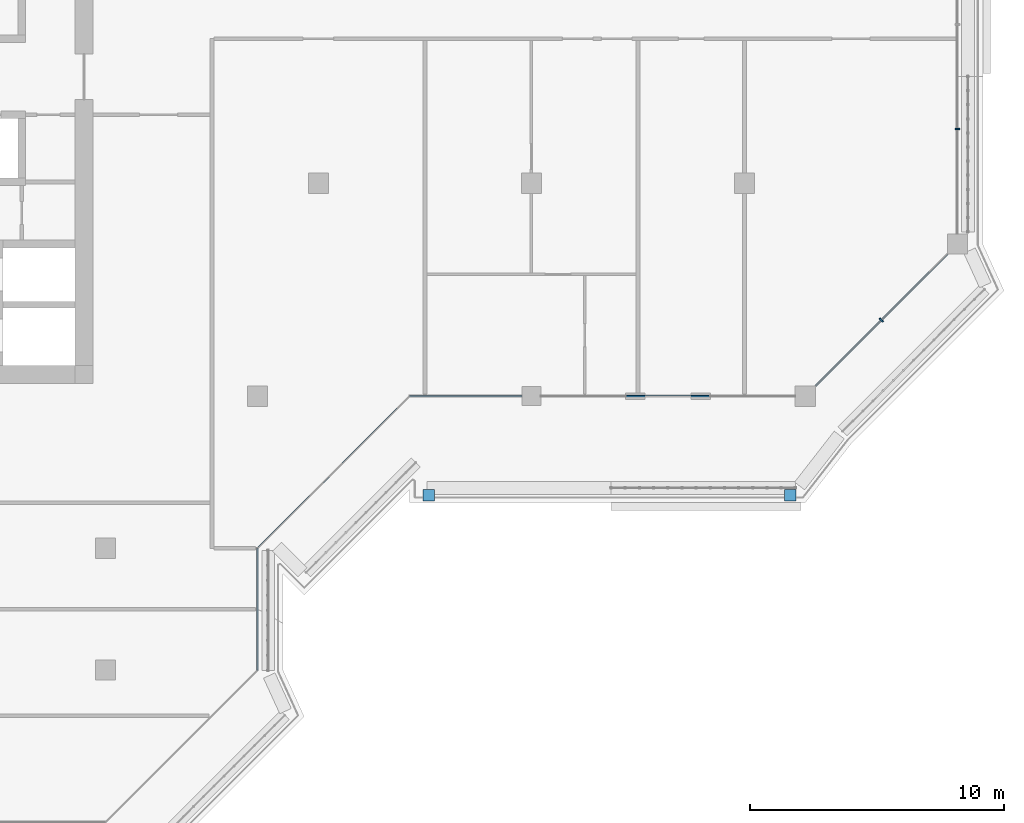
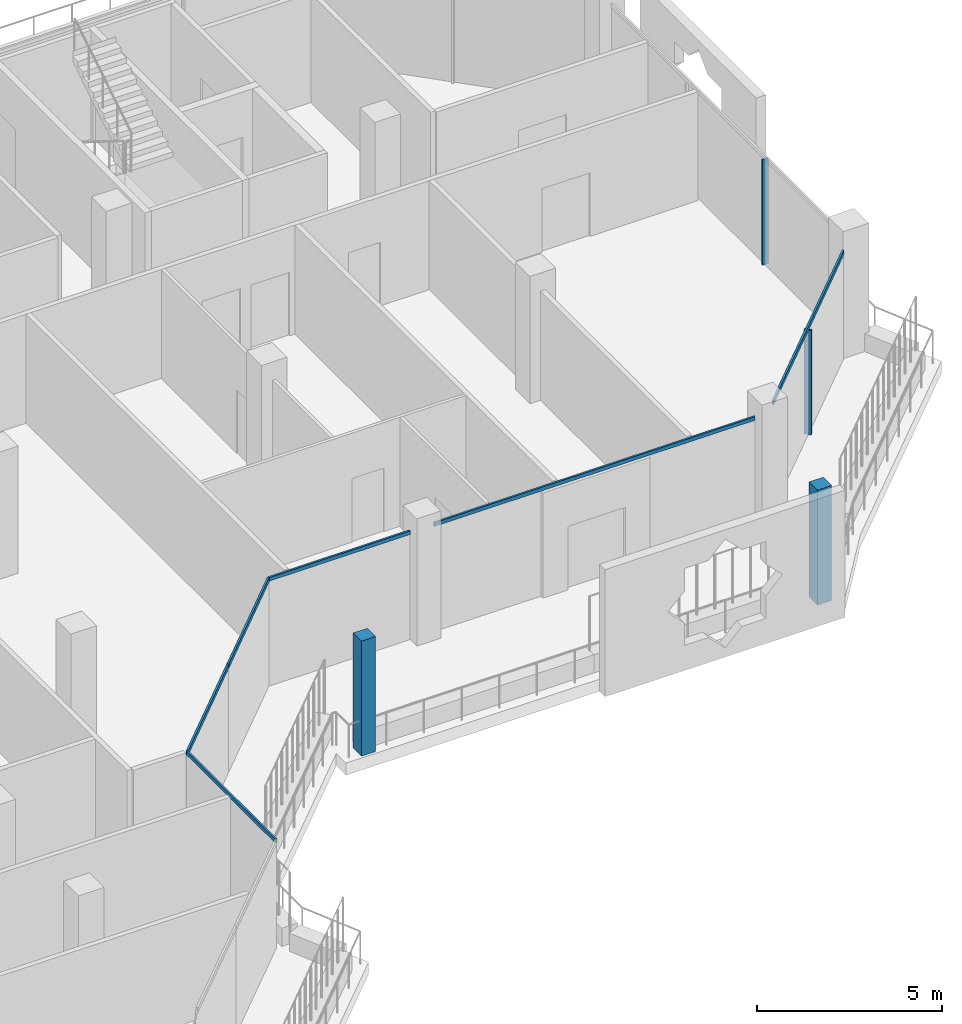
# One storey, part 5 of 21: 10 members, 6 elements without a shape of their own.
"""IFC4 building model written with IfcOpenShell, lengths in metres."""

from ifc_helpers import new_model, si_unit, direction, frame, origin, origin_2d, place, context, subcontext, project, spatial, rectangle, extrude, material, layer, layer_set, material_profile, profile_set, type_object, element, aggregate, save


model = new_model("IFC4")

# Units and contexts
model_context = context("Model", 3, precision=1e-05, world=origin(), true_north=direction((0.0, 1.0)))
body_context = subcontext(model_context, "Body", "Model", "MODEL_VIEW")
ifc_project = project(units=[si_unit("LENGTHUNIT", "METRE"), si_unit("AREAUNIT", "SQUARE_METRE"), si_unit("VOLUMEUNIT", "CUBIC_METRE"), si_unit("PLANEANGLEUNIT", "RADIAN"), si_unit("MASSUNIT", "GRAM", prefix="KILO")], contexts=[model_context])

# Site, building, storey
site_placement = place(None, origin())
site = spatial("IfcSite", under=ifc_project, at=site_placement, CompositionType="ELEMENT")
building_placement = place(site_placement, origin())
building = spatial("IfcBuilding", under=site, at=building_placement, Name="Kawkab Arch Medical Tower", CompositionType="ELEMENT")
storey_placement = place(building_placement, frame((0.0, 0.0, 311.199951171875)))
storey = spatial("IfcBuildingStorey", under=building, at=storey_placement, Name="L72", CompositionType="ELEMENT", Elevation=311.199951171875)

# Curtain wall, member
ifc_material_1 = material(Name="Bronze anodised aluminium curtain wall frame", Category="aluminium")
ifc_layer_1 = layer(ifc_material_1, 0.159912109375)
ifc_layer_set_1 = layer_set([ifc_layer_1], Name="Bronze anodised aluminium curtain wall frame")
curtain_wall_type_1 = type_object("IfcCurtainWallType", Name="CW1 ward curtain wall", PredefinedType="NOTDEFINED", material=ifc_layer_set_1)
placement = place(storey_placement, origin())
curtain_wall_1 = element("IfcCurtainWall", 1, at=placement, inside=storey, type_object=curtain_wall_type_1, Name="CW1 Ward curtain wall R13", PredefinedType="NOTDEFINED")
ifc_material_2 = material(Name="Bronze anodised aluminium curtain wall frame", Category="aluminium")
ifc_material_profile_1 = material_profile(ifc_material_2, rectangle(XDim=0.179931640625, YDim=0.06005859375, at=origin_2d()), Name="AL 60x180")
ifc_profile_set_1 = profile_set([ifc_material_profile_1], Name="Bronze anodised aluminium curtain wall frame")
member_type_1 = type_object("IfcMemberType", Name="CW1 mullion 60 x 180", PredefinedType="MULLION", material=ifc_profile_set_1)
member_1_placement = place(storey_placement, frame((58.800048828125, -14.666748046875, 0.0), z_axis=(0.0, 0.0, 1.0), x_axis=(-1.0, 0.0, 0.0)))
member_1 = element("IfcMember", 2, at=member_1_placement, type_object=member_type_1, Name="CW1 mullion 1.1", PredefinedType="MULLION", context=body_context, shape_type="SweptSolid", body=[
    extrude(rectangle(XDim=0.179931640625, YDim=0.06005859375, at=origin_2d()), origin(), (0.0, 0.0, 1.0), 3.47998046875),
])
aggregate(curtain_wall_1, [member_1])

curtain_wall_2 = element("IfcCurtainWall", 3, at=placement, inside=storey, type_object=curtain_wall_type_1, Name="CW1 Ward curtain wall R09", PredefinedType="NOTDEFINED")
ifc_material_3 = material(Name="Bronze anodised aluminium curtain wall frame", Category="aluminium")
ifc_material_profile_2 = material_profile(ifc_material_3, rectangle(XDim=0.06005859375, YDim=0.1201171875, at=origin_2d()), Name="AL 60x120")
ifc_profile_set_2 = profile_set([ifc_material_profile_2], Name="Bronze anodised aluminium curtain wall frame")
member_type_2 = type_object("IfcMemberType", Name="CW1 transom 120 x 60", PredefinedType="USERDEFINED", material=ifc_profile_set_2)
member_2_placement = place(storey_placement, frame((31.199951171875, -36.0, 3.5400390625), z_axis=(0.0, 1.0, 0.0), x_axis=(-1.0, 0.0, 0.0)))
member_2 = element("IfcMember", 4, at=member_2_placement, type_object=member_type_2, Name="CW1 transom 1", ObjectType="TRANSOM", PredefinedType="USERDEFINED", context=body_context, shape_type="SweptSolid", body=[
    extrude(rectangle(XDim=0.06005859375, YDim=0.1201171875, at=origin_2d()), origin(), (0.0, 0.0, 1.0), 4.800048828125),
])
aggregate(curtain_wall_2, [member_2])

# Curtain wall, members
curtain_wall_3 = element("IfcCurtainWall", 5, at=placement, inside=storey, type_object=curtain_wall_type_1, Name="CW1 Ward curtain wall R11", PredefinedType="NOTDEFINED")
member_3_placement = place(storey_placement, frame((37.199951171875, -25.199951171875, 3.5400390625), z_axis=(1.0, 0.0, 0.0), x_axis=(0.0, 1.0, 0.0)))
member_3 = element("IfcMember", 6, at=member_3_placement, type_object=member_type_2, Name="CW1 transom 1", ObjectType="TRANSOM", PredefinedType="USERDEFINED", context=body_context, shape_type="SweptSolid", body=[
    extrude(rectangle(XDim=0.06005859375, YDim=0.1201171875, at=origin_2d()), origin(), (0.0, 0.0, 1.0), 4.425048828125),
])
member_4_placement = place(storey_placement, frame((42.375, -25.199951171875, 3.5400390625), z_axis=(1.0, 0.0, 0.0), x_axis=(0.0, 1.0, 0.0)))
member_4 = element("IfcMember", 7, at=member_4_placement, type_object=member_type_2, Name="CW1 transom 2", ObjectType="TRANSOM", PredefinedType="USERDEFINED", context=body_context, shape_type="SweptSolid", body=[
    extrude(rectangle(XDim=0.06005859375, YDim=0.1201171875, at=origin_2d()), origin(), (0.0, 0.0, 1.0), 10.02490234375),
])
aggregate(curtain_wall_3, [member_3, member_4])

# Curtain wall, member
ifc_material_4 = material(Name="Bronze anodised aluminium curtain wall frame", Category="aluminium")
ifc_layer_2 = layer(ifc_material_4, 0.159912109375)
ifc_layer_set_2 = layer_set([ifc_layer_2], Name="Bronze anodised aluminium curtain wall frame")
curtain_wall_type_2 = type_object("IfcCurtainWallType", Name="CW2 chamfer curtain wall", PredefinedType="NOTDEFINED", material=ifc_layer_set_2)
curtain_wall_4 = element("IfcCurtainWall", 8, at=placement, inside=storey, type_object=curtain_wall_type_2, Name="CW2 Chamfer curtain wall R12", PredefinedType="NOTDEFINED")
ifc_material_5 = material(Name="Bronze anodised aluminium curtain wall frame", Category="aluminium")
ifc_material_profile_3 = material_profile(ifc_material_5, rectangle(XDim=0.199951171875, YDim=0.06005859375, at=origin_2d()), Name="AL 60x200")
ifc_profile_set_3 = profile_set([ifc_material_profile_3], Name="Bronze anodised aluminium curtain wall frame")
member_type_3 = type_object("IfcMemberType", Name="CW2 mullion 60 x 200", PredefinedType="MULLION", material=ifc_profile_set_3)
member_5_placement = place(storey_placement, frame((55.800048828125, -22.199951171875, 0.0), z_axis=(0.0, 0.0, 1.0), x_axis=(-0.707106781187, 0.707106781187, 0.0)))
member_5 = element("IfcMember", 9, at=member_5_placement, type_object=member_type_3, Name="CW2 mullion 1.1", PredefinedType="MULLION", context=body_context, shape_type="SweptSolid", body=[
    extrude(rectangle(XDim=0.199951171875, YDim=0.06005859375, at=origin_2d()), origin(), (0.0, 0.0, 1.0), 3.4599609375),
])

# Curtain wall, members
curtain_wall_5 = element("IfcCurtainWall", 10, at=placement, inside=storey, type_object=curtain_wall_type_2, Name="CW2 Chamfer curtain wall R10", PredefinedType="NOTDEFINED")
ifc_material_6 = material(Name="Bronze anodised aluminium curtain wall frame", Category="aluminium")
ifc_material_profile_4 = material_profile(ifc_material_6, rectangle(XDim=0.06005859375, YDim=0.139892578125, at=origin_2d()), Name="AL 60x140")
ifc_profile_set_4 = profile_set([ifc_material_profile_4], Name="Bronze anodised aluminium curtain wall frame")
member_type_4 = type_object("IfcMemberType", Name="CW2 transom 140 x 60", PredefinedType="USERDEFINED", material=ifc_profile_set_4)
member_6_placement = place(storey_placement, frame((31.199951171875, -31.199951171875, 3.530029296875), z_axis=(0.707106781187, 0.707106781187, 0.0), x_axis=(-0.707106781187, 0.707106781187, 0.0)))
member_6 = element("IfcMember", 11, at=member_6_placement, type_object=member_type_4, Name="CW2 transom 1", ObjectType="TRANSOM", PredefinedType="USERDEFINED", context=body_context, shape_type="SweptSolid", body=[
    extrude(rectangle(XDim=0.06005859375, YDim=0.139892578125, at=origin_2d()), origin(), (0.0, 0.0, 1.0), 4.24267578125),
])
member_7_placement = place(storey_placement, frame((34.199951171875, -28.199951171875, 3.530029296875), z_axis=(0.707106781187, 0.707106781187, 0.0), x_axis=(-0.707106781187, 0.707106781187, 0.0)))
member_7 = element("IfcMember", 12, at=member_7_placement, type_object=member_type_4, Name="CW2 transom 2", ObjectType="TRANSOM", PredefinedType="USERDEFINED", context=body_context, shape_type="SweptSolid", body=[
    extrude(rectangle(XDim=0.06005859375, YDim=0.139892578125, at=origin_2d()), origin(), (0.0, 0.0, 1.0), 4.24267578125),
])
aggregate(curtain_wall_5, [member_6, member_7])

# Member
member_8_placement = place(storey_placement, frame((53.199951171875, -24.800048828125, 3.530029296875), z_axis=(0.707106781187, 0.707106781187, 0.0), x_axis=(-0.707106781187, 0.707106781187, 0.0)))
member_8 = element("IfcMember", 13, at=member_8_placement, type_object=member_type_4, Name="CW2 transom 1", ObjectType="TRANSOM", PredefinedType="USERDEFINED", context=body_context, shape_type="SweptSolid", body=[
    extrude(rectangle(XDim=0.06005859375, YDim=0.139892578125, at=origin_2d()), origin(), (0.0, 0.0, 1.0), 7.353759765625),
])

aggregate(curtain_wall_4, [member_8, member_5])

# Curtain wall, members
ifc_material_7 = material(Name="Bronze anodised aluminium climber frame, planted", Category="aluminium")
ifc_layer_3 = layer(ifc_material_7, 0.449951171875)
ifc_layer_set_3 = layer_set([ifc_layer_3], Name="Bronze anodised aluminium climber frame, planted")
curtain_wall_type_3 = type_object("IfcCurtainWallType", Name="Planted climber frame", PredefinedType="NOTDEFINED", material=ifc_layer_set_3)
curtain_wall_6 = element("IfcCurtainWall", 14, at=placement, inside=storey, type_object=curtain_wall_type_3, Name="Planted climber frame L72", PredefinedType="NOTDEFINED")
ifc_material_8 = material(Name="Bronze anodised aluminium climber frame, planted", Category="aluminium")
ifc_material_profile_5 = material_profile(ifc_material_8, rectangle(XDim=0.449951171875, YDim=0.449951171875, at=origin_2d()), Name="Post 450x450")
ifc_profile_set_5 = profile_set([ifc_material_profile_5], Name="Bronze anodised aluminium climber frame, planted")
member_type_5 = type_object("IfcMemberType", Name="Planted climber post 450 x 450", PredefinedType="MULLION", material=ifc_profile_set_5)
member_9_placement = place(storey_placement, frame((52.202880859375, -29.10009765625, 0.0), z_axis=(0.0, 0.0, 1.0), x_axis=(1.0, 0.0, 0.0)))
member_9 = element("IfcMember", 15, at=member_9_placement, type_object=member_type_5, Name="Planted climber post L72.LOG-01-01.5", PredefinedType="MULLION", context=body_context, shape_type="SweptSolid", body=[
    extrude(rectangle(XDim=0.449951171875, YDim=0.449951171875, at=origin_2d()), origin(), (0.0, 0.0, 1.0), 3.800048828125),
])
member_10_placement = place(storey_placement, frame((37.949951171875, -29.10009765625, 0.0), z_axis=(0.0, 0.0, 1.0), x_axis=(1.0, 0.0, 0.0)))
member_10 = element("IfcMember", 16, at=member_10_placement, type_object=member_type_5, Name="Planted climber post L72.LOG-01-01.6", PredefinedType="MULLION", context=body_context, shape_type="SweptSolid", body=[
    extrude(rectangle(XDim=0.449951171875, YDim=0.449951171875, at=origin_2d()), origin(), (0.0, 0.0, 1.0), 3.800048828125),
])
aggregate(curtain_wall_6, [member_9, member_10])

save(model, "model.ifc")
